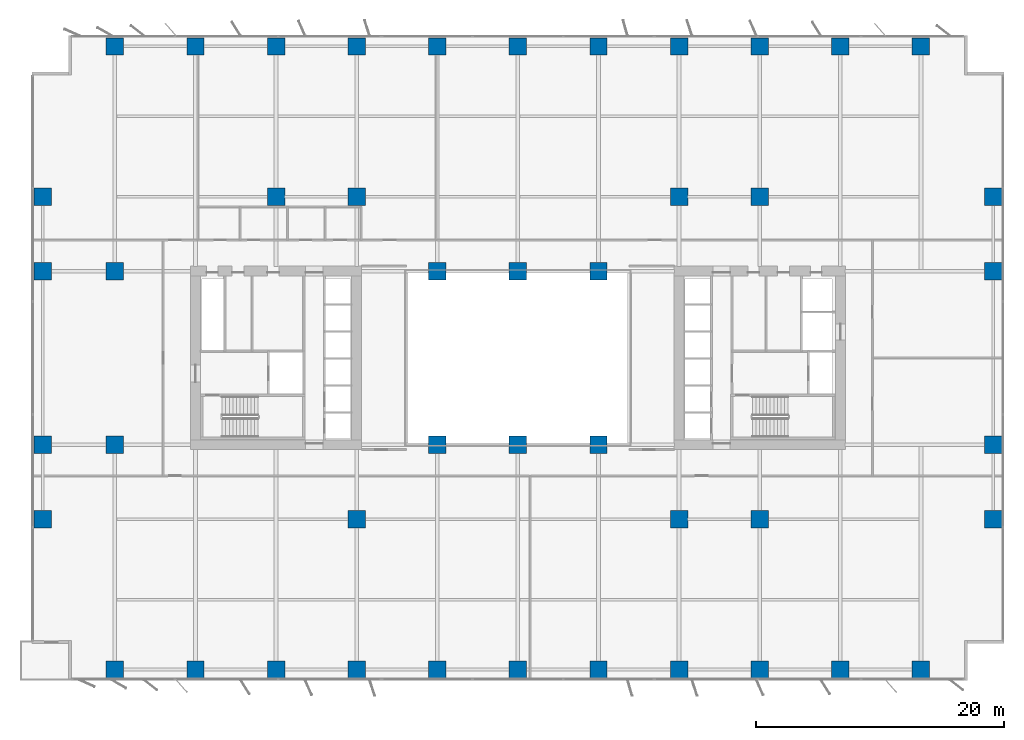
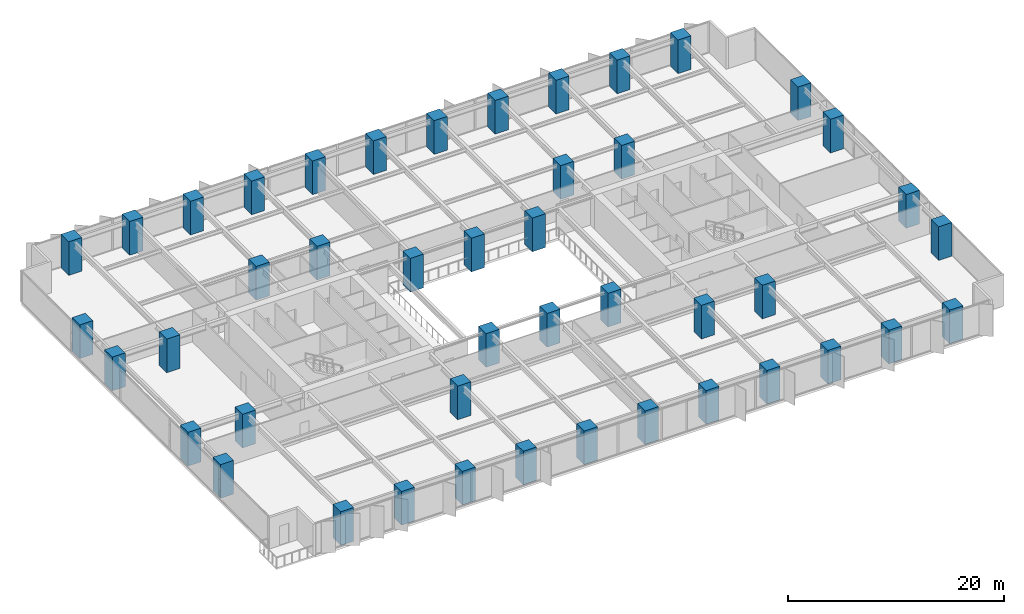
# One storey, part 1 of 20: 45 columns.
"""IFC4 building model written with IfcOpenShell, lengths in metres."""

from ifc_helpers import new_model, si_unit, direction, frame, origin, origin_2d, place, context, subcontext, project, spatial, rectangle, extrude, material, material_profile, profile_set, type_object, element, save


model = new_model("IFC4")

# Units and contexts
model_context = context("Model", 3, precision=1e-05, world=origin(), true_north=direction((0.0, 1.0)))
body_context = subcontext(model_context, "Body", "Model", "MODEL_VIEW")
ifc_project = project(units=[si_unit("LENGTHUNIT", "METRE"), si_unit("AREAUNIT", "SQUARE_METRE"), si_unit("VOLUMEUNIT", "CUBIC_METRE"), si_unit("PLANEANGLEUNIT", "RADIAN"), si_unit("MASSUNIT", "GRAM", prefix="KILO")], contexts=[model_context])

# Site, building, storey
site_placement = place(None, origin())
site = spatial("IfcSite", under=ifc_project, at=site_placement, CompositionType="ELEMENT")
building_placement = place(site_placement, origin())
building = spatial("IfcBuilding", under=site, at=building_placement, Name="Putna Gate Headquarters", CompositionType="ELEMENT")
storey_placement = place(building_placement, frame((0.0, 0.0, 31.60009765625)))
storey = spatial("IfcBuildingStorey", under=building, at=storey_placement, Name="L06", CompositionType="ELEMENT", Elevation=31.60009765625)

# Columns
ifc_material = material(Name="Concrete C60/75", Category="concrete")
ifc_material_profile_1 = material_profile(ifc_material, rectangle(XDim=1.39990234375, YDim=1.39990234375, at=origin_2d()), Name="Concrete C60/75")
ifc_profile_set_1 = profile_set([ifc_material_profile_1], Name="Concrete C60/75")
column_type_1 = type_object("IfcColumnType", Name="COL-RC1400-EXT", PredefinedType="COLUMN", material=ifc_profile_set_1)
for number, where, z_axis, x_axis, name in (
    (1, (6.5, 0.8798828125, 0.0), (0.0, 0.0, 1.0), (1.0, 0.0, 0.0), "L06 Column CP-S6"),
    (2, (6.5, 51.1201171875, 0.0), (0.0, 0.0, 1.0), (1.0, 0.0, 0.0), "L06 Column CP-N6"),
    (3, (13.0, 0.8798828125, 0.0), (0.0, 0.0, 1.0), (1.0, 0.0, 0.0), "L06 Column CP-S13"),
    (4, (13.0, 51.1201171875, 0.0), (0.0, 0.0, 1.0), (1.0, 0.0, 0.0), "L06 Column CP-N13"),
    (5, (19.5, 0.8798828125, 0.0), (0.0, 0.0, 1.0), (1.0, 0.0, 0.0), "L06 Column CP-S19"),
    (6, (19.5, 51.1201171875, 0.0), (0.0, 0.0, 1.0), (1.0, 0.0, 0.0), "L06 Column CP-N19"),
    (7, (26.0, 0.8798828125, 0.0), (0.0, 0.0, 1.0), (1.0, 0.0, 0.0), "L06 Column CP-S26"),
    (8, (26.0, 51.1201171875, 0.0), (0.0, 0.0, 1.0), (1.0, 0.0, 0.0), "L06 Column CP-N26"),
    (9, (32.5, 0.8798828125, 0.0), (0.0, 0.0, 1.0), (1.0, 0.0, 0.0), "L06 Column CP-S32"),
    (10, (32.5, 51.1201171875, 0.0), (0.0, 0.0, 1.0), (1.0, 0.0, 0.0), "L06 Column CP-N32"),
    (11, (39.0, 0.8798828125, 0.0), (0.0, 0.0, 1.0), (1.0, 0.0, 0.0), "L06 Column CP-S39"),
    (12, (39.0, 51.1201171875, 0.0), (0.0, 0.0, 1.0), (1.0, 0.0, 0.0), "L06 Column CP-N39"),
    (13, (45.5, 0.8798828125, 0.0), (0.0, 0.0, 1.0), (1.0, 0.0, 0.0), "L06 Column CP-S45"),
    (14, (45.5, 51.1201171875, 0.0), (0.0, 0.0, 1.0), (1.0, 0.0, 0.0), "L06 Column CP-N45"),
    (15, (52.0, 0.8798828125, 0.0), (0.0, 0.0, 1.0), (1.0, 0.0, 0.0), "L06 Column CP-S52"),
    (16, (52.0, 51.1201171875, 0.0), (0.0, 0.0, 1.0), (1.0, 0.0, 0.0), "L06 Column CP-N52"),
    (17, (58.5, 0.8798828125, 0.0), (0.0, 0.0, 1.0), (1.0, 0.0, 0.0), "L06 Column CP-S58"),
    (18, (58.5, 51.1201171875, 0.0), (0.0, 0.0, 1.0), (1.0, 0.0, 0.0), "L06 Column CP-N58"),
    (19, (65.0, 0.8798828125, 0.0), (0.0, 0.0, 1.0), (1.0, 0.0, 0.0), "L06 Column CP-S65"),
    (20, (65.0, 51.1201171875, 0.0), (0.0, 0.0, 1.0), (1.0, 0.0, 0.0), "L06 Column CP-N65"),
    (21, (71.5, 0.8798828125, 0.0), (0.0, 0.0, 1.0), (1.0, 0.0, 0.0), "L06 Column CP-S71"),
    (22, (71.5, 51.1201171875, 0.0), (0.0, 0.0, 1.0), (1.0, 0.0, 0.0), "L06 Column CP-N71"),
    (23, (0.679931640625, 13.0, 0.0), (0.0, 0.0, 1.0), (1.0, 0.0, 0.0), "L06 Column CP-W13"),
    (24, (77.320068359375, 13.0, 0.0), (0.0, 0.0, 1.0), (1.0, 0.0, 0.0), "L06 Column CP-E13"),
    (25, (0.679931640625, 19.0, 0.0), (0.0, 0.0, 1.0), (1.0, 0.0, 0.0), "L06 Column CP-W19"),
    (26, (77.320068359375, 19.0, 0.0), (0.0, 0.0, 1.0), (1.0, 0.0, 0.0), "L06 Column CP-E19"),
    (27, (0.679931640625, 33.0, 0.0), (0.0, 0.0, 1.0), (1.0, 0.0, 0.0), "L06 Column CP-W33"),
    (28, (77.320068359375, 33.0, 0.0), (0.0, 0.0, 1.0), (1.0, 0.0, 0.0), "L06 Column CP-E33"),
    (29, (0.679931640625, 39.0, 0.0), (0.0, 0.0, 1.0), (1.0, 0.0, 0.0), "L06 Column CP-W39"),
    (30, (77.320068359375, 39.0, 0.0), (0.0, 0.0, 1.0), (1.0, 0.0, 0.0), "L06 Column CP-E39"),
):
    element("IfcColumn", number, at=place(storey_placement, frame(where, z_axis=z_axis, x_axis=x_axis)), inside=storey, type_object=column_type_1, Name=name, PredefinedType="COLUMN", context=body_context, shape_type="SweptSolid", body=[
        extrude(rectangle(XDim=1.39990234375, YDim=1.39990234375, at=origin_2d()), origin(), (0.0, 0.0, 1.0), 3.7998046875),
    ])
ifc_material_profile_2 = material_profile(ifc_material, rectangle(XDim=1.39990234375, YDim=1.39990234375, at=origin_2d()), Name="Concrete C60/75")
ifc_profile_set_2 = profile_set([ifc_material_profile_2], Name="Concrete C60/75")
column_type_2 = type_object("IfcColumnType", Name="COL-RC1400-INT", PredefinedType="COLUMN", material=ifc_profile_set_2)
for number, where, z_axis, x_axis, name in (
    (31, (19.5, 39.0, 0.0), (0.0, 0.0, 1.0), (1.0, 0.0, 0.0), "L06 Column CSI-WN"),
    (32, (58.5, 13.0, 0.0), (0.0, 0.0, 1.0), (1.0, 0.0, 0.0), "L06 Column CSI-ES"),
    (33, (58.5, 39.0, 0.0), (0.0, 0.0, 1.0), (1.0, 0.0, 0.0), "L06 Column CSI-EN"),
    (34, (6.5, 19.0, 0.0), (0.0, 0.0, 1.0), (1.0, 0.0, 0.0), "L06 Column CSI-WM"),
    (35, (6.5, 33.0, 0.0), (0.0, 0.0, 1.0), (1.0, 0.0, 0.0), "L06 Column CSI-WNW"),
    (36, (32.5, 19.0, 0.0), (0.0, 0.0, 1.0), (1.0, 0.0, 0.0), "L06 Column CAI-S32"),
    (37, (32.5, 33.0, 0.0), (0.0, 0.0, 1.0), (1.0, 0.0, 0.0), "L06 Column CAI-N32"),
    (38, (39.0, 19.0, 0.0), (0.0, 0.0, 1.0), (1.0, 0.0, 0.0), "L06 Column CAI-S39"),
    (39, (39.0, 33.0, 0.0), (0.0, 0.0, 1.0), (1.0, 0.0, 0.0), "L06 Column CAI-N39"),
    (40, (45.5, 19.0, 0.0), (0.0, 0.0, 1.0), (1.0, 0.0, 0.0), "L06 Column CAI-S45"),
    (41, (45.5, 33.0, 0.0), (0.0, 0.0, 1.0), (1.0, 0.0, 0.0), "L06 Column CAI-N45"),
    (42, (26.0, 13.0, 0.0), (0.0, 0.0, 1.0), (1.0, 0.0, 0.0), "L06 Column CAP-WS"),
    (43, (26.0, 39.0, 0.0), (0.0, 0.0, 1.0), (1.0, 0.0, 0.0), "L06 Column CAP-WN"),
    (44, (52.0, 13.0, 0.0), (0.0, 0.0, 1.0), (1.0, 0.0, 0.0), "L06 Column CAP-ES"),
    (45, (52.0, 39.0, 0.0), (0.0, 0.0, 1.0), (1.0, 0.0, 0.0), "L06 Column CAP-EN"),
):
    element("IfcColumn", number, at=place(storey_placement, frame(where, z_axis=z_axis, x_axis=x_axis)), inside=storey, type_object=column_type_2, Name=name, PredefinedType="COLUMN", context=body_context, shape_type="SweptSolid", body=[
        extrude(rectangle(XDim=1.39990234375, YDim=1.39990234375, at=origin_2d()), origin(), (0.0, 0.0, 1.0), 3.7998046875),
    ])

save(model, "model.ifc")
